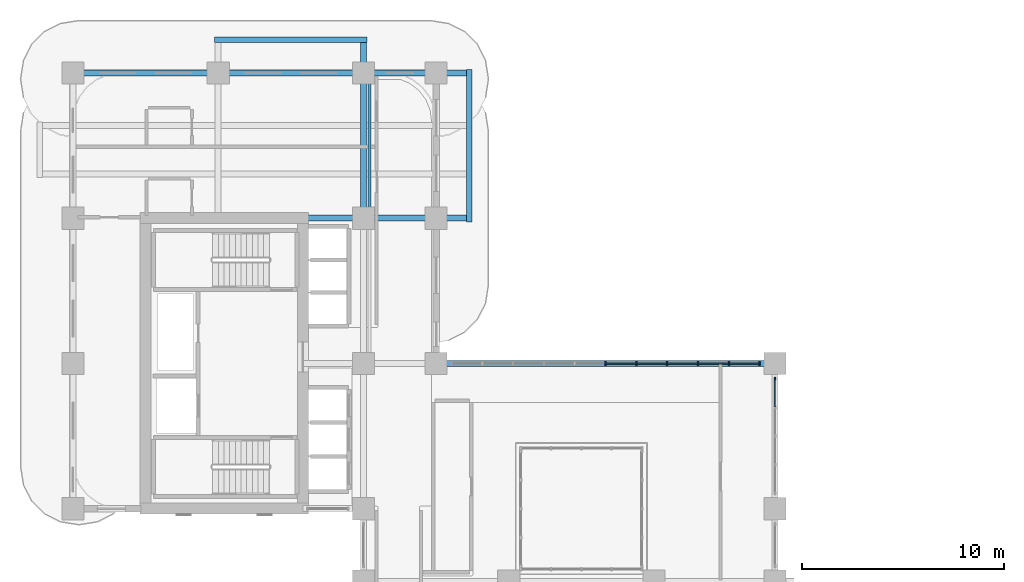
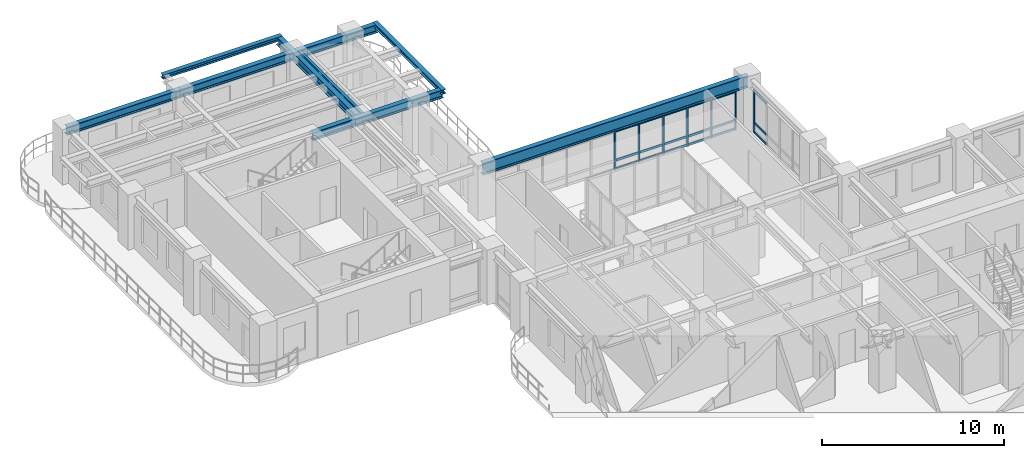
# One storey, part 7 of 22: 25 members, 8 beams, 2 elements without a shape of their own.
"""IFC4 building model written with IfcOpenShell, lengths in metres."""

from ifc_helpers import new_model, si_unit, derived_unit, direction, frame, origin, origin_2d, place, context, subcontext, project, spatial, rectangle, i_section, extrude, source, transform, mapped, material, layer, layer_set, material_profile, profile_set, type_object, type_shapes, element, aggregate, save


model = new_model("IFC4")

# Units and contexts
model_context = context("Model", 3, precision=1e-05, world=origin(), true_north=direction((0.0, 1.0)))
body_context = subcontext(model_context, "Body", "Model", "MODEL_VIEW")
ifc_project = project(units=[si_unit("LENGTHUNIT", "METRE"), si_unit("AREAUNIT", "SQUARE_METRE"), si_unit("VOLUMEUNIT", "CUBIC_METRE"), si_unit("PLANEANGLEUNIT", "RADIAN"), si_unit("MASSUNIT", "GRAM", prefix="KILO"), si_unit("THERMODYNAMICTEMPERATUREUNIT", "KELVIN"), si_unit("POWERUNIT", "WATT"), derived_unit("THERMALTRANSMITTANCEUNIT", [(si_unit("POWERUNIT", "WATT"), 1), (si_unit("AREAUNIT", "SQUARE_METRE"), -1), (si_unit("THERMODYNAMICTEMPERATUREUNIT", "KELVIN"), -1)])], contexts=[model_context])

# Site, building, storey
site_placement = place(None, origin())
site = spatial("IfcSite", under=ifc_project, at=site_placement, CompositionType="ELEMENT")
building_placement = place(site_placement, origin())
building = spatial("IfcBuilding", under=site, at=building_placement, Name="Zahravan Archway Hotel and Residences", CompositionType="ELEMENT")
storey_placement = place(building_placement, frame((0.0, 0.0, 91.60009765625)))
storey = spatial("IfcBuildingStorey", under=building, at=storey_placement, Name="L22", CompositionType="ELEMENT", Elevation=91.60009765625)

# Beams
ifc_material_1 = material(Name="Structural Steel S355JR", Category="steel")
ifc_material_profile_1 = material_profile(ifc_material_1, i_section(OverallWidth=0.280029296875, OverallDepth=0.280029296875, WebThickness=0.010498046875, FlangeThickness=0.01806640625, FilletRadius=0.02392578125, at=origin_2d()), Name="HEB 280", Category="steel")
ifc_profile_set_1 = profile_set([ifc_material_profile_1], Name="Structural Steel S355JR")
beam_type_1 = type_object("IfcBeamType", Name="BM-SPN-HEB280", PredefinedType="SPANDREL", material=ifc_profile_set_1)
shared_shape_1 = source(origin(), body_context, "Body", "SweptSolid", [
    extrude(i_section(OverallWidth=0.280029296875, OverallDepth=0.280029296875, WebThickness=0.010498046875, FlangeThickness=0.01806640625, FilletRadius=0.02392578125, at=origin_2d()), origin(), (0.0, 0.0, 1.0), 7.56005859375),
])
type_shapes(beam_type_1, [shared_shape_1])
for number, where, z_axis, x_axis, name in (
    (1, (19.64990234375, 39.419921875, 3.309814453125), (0.0, 1.0, 0.0), (-1.0, 0.0, 0.0), "L23 EB Balcony Edge Spandrel"),
    (2, (7.02001953125, 48.449951171875, 3.309814453125), (1.0, 0.0, 0.0), (0.0, 1.0, 0.0), "L23 NB Balcony Edge Spandrel"),
):
    element("IfcBeam", number, at=place(storey_placement, frame(where, z_axis=z_axis, x_axis=x_axis)), inside=storey, type_object=beam_type_1, Name=name, PredefinedType="SPANDREL", context=body_context, shape_type="MappedRepresentation", body=[
        mapped(shared_shape_1, transform((0.0, 0.0, 0.0), scale=1.0)),
    ])
ifc_material_profile_2 = material_profile(ifc_material_1, i_section(OverallWidth=0.300048828125, OverallDepth=0.550048828125, WebThickness=0.014892578125, FlangeThickness=0.029052734375, FilletRadius=0.027099609375, at=origin_2d()), Name="HEB 550", Category="steel")
ifc_profile_set_2 = profile_set([ifc_material_profile_2], Name="Structural Steel S355JR")
beam_type_2 = type_object("IfcBeamType", Name="BM-PRI-HEB550", PredefinedType="BEAM", material=ifc_profile_set_2)
shared_shape_2 = source(origin(), body_context, "Body", "SweptSolid", [
    extrude(i_section(OverallWidth=0.300048828125, OverallDepth=0.550048828125, WebThickness=0.014892578125, FlangeThickness=0.029052734375, FilletRadius=0.027099609375, at=origin_2d()), origin(), (0.0, 0.0, 1.0), 7.199951171875),
])
beam_1_placement = place(storey_placement, frame((0.0, 46.800048828125, 3.1748046875), z_axis=(1.0, 0.0, 0.0), x_axis=(0.0, 1.0, 0.0)))
element("IfcBeam", 3, at=beam_1_placement, inside=storey, type_object=beam_type_2, Name="L22 Primary Girder EW-24", PredefinedType="BEAM", context=body_context, shape_type="MappedRepresentation", body=[
    mapped(shared_shape_2, transform((0.0, 0.0, 0.0), scale=1.0)),
])
shared_shape_3 = source(origin(), body_context, "Body", "SweptSolid", [
    extrude(i_section(OverallWidth=0.300048828125, OverallDepth=0.550048828125, WebThickness=0.014892578125, FlangeThickness=0.029052734375, FilletRadius=0.027099609375, at=origin_2d()), origin(), (0.0, 0.0, 1.0), 8.25),
])
beam_2_placement = place(storey_placement, frame((11.39990234375, 39.60009765625, 3.1748046875), z_axis=(1.0, 0.0, 0.0), x_axis=(0.0, 1.0, 0.0)))
element("IfcBeam", 4, at=beam_2_placement, inside=storey, type_object=beam_type_2, Name="L22 Primary Girder EW-23", PredefinedType="BEAM", context=body_context, shape_type="MappedRepresentation", body=[
    mapped(shared_shape_3, transform((0.0, 0.0, 0.0), scale=1.0)),
])
shared_shape_4 = source(origin(), body_context, "Body", "SweptSolid", [
    extrude(i_section(OverallWidth=0.300048828125, OverallDepth=0.550048828125, WebThickness=0.014892578125, FlangeThickness=0.029052734375, FilletRadius=0.027099609375, at=origin_2d()), origin(), (0.0, 0.0, 1.0), 12.449951171875),
])
beam_3_placement = place(storey_placement, frame((7.199951171875, 46.800048828125, 3.1748046875), z_axis=(1.0, 0.0, 0.0), x_axis=(0.0, 1.0, 0.0)))
element("IfcBeam", 5, at=beam_3_placement, inside=storey, type_object=beam_type_2, Name="L22 Primary Girder EW-25", PredefinedType="BEAM", context=body_context, shape_type="MappedRepresentation", body=[
    mapped(shared_shape_4, transform((0.0, 0.0, 0.0), scale=1.0)),
])
shared_shape_5 = source(origin(), body_context, "Body", "SweptSolid", [
    extrude(i_section(OverallWidth=0.300048828125, OverallDepth=0.550048828125, WebThickness=0.014892578125, FlangeThickness=0.029052734375, FilletRadius=0.027099609375, at=origin_2d()), origin(), (0.0, 0.0, 1.0), 8.849853515625),
])
beam_4_placement = place(storey_placement, frame((14.39990234375, 39.60009765625, 3.1748046875), z_axis=(0.0, 1.0, 0.0), x_axis=(-1.0, 0.0, 0.0)))
element("IfcBeam", 6, at=beam_4_placement, inside=storey, type_object=beam_type_2, Name="L22 Primary Girder NS-38", PredefinedType="BEAM", context=body_context, shape_type="MappedRepresentation", body=[
    mapped(shared_shape_5, transform((0.0, 0.0, 0.0), scale=1.0)),
])
ifc_material_2 = material(Name="Structural Steel S355J2", Category="steel")
ifc_material_profile_3 = material_profile(ifc_material_2, i_section(OverallWidth=0.300048828125, OverallDepth=0.800048828125, WebThickness=0.017578125, FlangeThickness=0.032958984375, FilletRadius=0.030029296875, at=origin_2d()), Name="HEB 800", Category="steel")
ifc_profile_set_3 = profile_set([ifc_material_profile_3], Name="Structural Steel S355J2")
beam_type_3 = type_object("IfcBeamType", Name="BM-PRI-HEB800", PredefinedType="BEAM", material=ifc_profile_set_3)
shared_shape_6 = source(origin(), body_context, "Body", "SweptSolid", [
    extrude(i_section(OverallWidth=0.300048828125, OverallDepth=0.800048828125, WebThickness=0.017578125, FlangeThickness=0.032958984375, FilletRadius=0.030029296875, at=origin_2d()), origin(), (0.0, 0.0, 1.0), 16.800048828125),
])
type_shapes(beam_type_3, [shared_shape_6])
beam_5_placement = place(storey_placement, frame((18.0, 32.39990234375, 3.0498046875), z_axis=(1.0, 0.0, 0.0), x_axis=(0.0, 1.0, 0.0)))
element("IfcBeam", 7, at=beam_5_placement, inside=storey, type_object=beam_type_3, Name="L22 Primary Girder EW-22", PredefinedType="BEAM", context=body_context, shape_type="MappedRepresentation", body=[
    mapped(shared_shape_6, transform((0.0, 0.0, 0.0), scale=1.0)),
])
ifc_material_profile_4 = material_profile(ifc_material_1, i_section(OverallWidth=0.169921875, OverallDepth=0.360107421875, WebThickness=0.008056640625, FlangeThickness=0.0126953125, FilletRadius=0.01806640625, at=origin_2d()), Name="IPE 360", Category="steel")
ifc_profile_set_4 = profile_set([ifc_material_profile_4], Name="Structural Steel S355JR")
beam_type_4 = type_object("IfcBeamType", Name="BM-JST-IPE360", PredefinedType="JOIST", material=ifc_profile_set_4)
shared_shape_7 = source(origin(), body_context, "Body", "SweptSolid", [
    extrude(i_section(OverallWidth=0.169921875, OverallDepth=0.360107421875, WebThickness=0.008056640625, FlangeThickness=0.0126953125, FilletRadius=0.01806640625, at=origin_2d()), origin(), (0.0, 0.0, 1.0), 6.904052734375),
])
type_shapes(beam_type_4, [shared_shape_7])
beam_6_placement = place(storey_placement, frame((14.699951171875, 39.748046875, 3.27001953125), z_axis=(0.0, 1.0, 0.0), x_axis=(-1.0, 0.0, 0.0)))
element("IfcBeam", 8, at=beam_6_placement, inside=storey, type_object=beam_type_4, Name="L22 Composite Floor Joist 14", PredefinedType="JOIST", context=body_context, shape_type="MappedRepresentation", body=[
    mapped(shared_shape_7, transform((0.0, 0.0, 0.0), scale=1.0)),
])

# Curtain wall, members
ifc_material_3 = material(Name="Bronze-Anodized Unitised Aluminium & Low-E Glass", Category="aluminium")
ifc_layer = layer(ifc_material_3, 0.179931640625, Name="Bronze-Anodized Unitised Aluminium & Low-E Glass", Category="aluminium")
ifc_layer_set = layer_set([ifc_layer], Name="Bronze-Anodized Unitised Aluminium & Low-E Glass")
curtain_wall_type = type_object("IfcCurtainWallType", Name="CW-ATR-GLAZ", PredefinedType="NOTDEFINED", material=ifc_layer_set)
curtain_wall_1_placement = place(storey_placement, origin())
curtain_wall_1 = element("IfcCurtainWall", 9, at=curtain_wall_1_placement, inside=storey, type_object=curtain_wall_type, Name="L22 Curtain Wall CW-L22-HNG-E-2", PredefinedType="NOTDEFINED")
ifc_material_4 = material(Name="Bronze-Anodized Extruded Aluminium", Category="aluminium")
ifc_material_profile_5 = material_profile(ifc_material_4, rectangle(XDim=0.080078125, YDim=0.139892578125, at=origin_2d()), Name="TRN 80x140", Category="aluminium")
ifc_profile_set_5 = profile_set([ifc_material_profile_5], Name="Bronze-Anodized Extruded Aluminium")
member_type_1 = type_object("IfcMemberType", Name="CWM-TRN-140", PredefinedType="USERDEFINED", material=ifc_profile_set_5)
shared_shape_8 = source(origin(), body_context, "Body", "SweptSolid", [
    extrude(rectangle(XDim=0.080078125, YDim=0.139892578125, at=origin_2d()), origin(), (0.0, 0.0, 1.0), 1.340087890625),
])
member_1_placement = place(storey_placement, frame((34.800048828125, 30.260009765625, 0.06982421875), z_axis=(0.0, 1.0, 0.0), x_axis=(-1.0, 0.0, 0.0)))
member_1 = element("IfcMember", 10, at=member_1_placement, type_object=member_type_1, Name="CW-L22-HNG-E-2 Transom 3-1", ObjectType="TRANSOM", PredefinedType="USERDEFINED", context=body_context, shape_type="MappedRepresentation", body=[
    mapped(shared_shape_8, transform((0.0, 0.0, 0.0), scale=1.0)),
])
member_2_placement = place(storey_placement, frame((34.800048828125, 30.260009765625, 0.6923828125), z_axis=(0.0, 1.0, 0.0), x_axis=(-1.0, 0.0, 0.0)))
member_2 = element("IfcMember", 11, at=member_2_placement, type_object=member_type_1, Name="CW-L22-HNG-E-2 Transom 3-2", ObjectType="TRANSOM", PredefinedType="USERDEFINED", context=body_context, shape_type="MappedRepresentation", body=[
    mapped(shared_shape_8, transform((0.0, 0.0, 0.0), scale=1.0)),
])
member_3_placement = place(storey_placement, frame((34.800048828125, 30.260009765625, 2.81494140625), z_axis=(0.0, 1.0, 0.0), x_axis=(-1.0, 0.0, 0.0)))
member_3 = element("IfcMember", 12, at=member_3_placement, type_object=member_type_1, Name="CW-L22-HNG-E-2 Transom 3-3", ObjectType="TRANSOM", PredefinedType="USERDEFINED", context=body_context, shape_type="MappedRepresentation", body=[
    mapped(shared_shape_8, transform((0.0, 0.0, 0.0), scale=1.0)),
])
ifc_material_profile_6 = material_profile(ifc_material_4, rectangle(XDim=0.080078125, YDim=0.159912109375, at=origin_2d()), Name="MUL 80x160", Category="aluminium")
ifc_profile_set_6 = profile_set([ifc_material_profile_6], Name="Bronze-Anodized Extruded Aluminium")
member_type_2 = type_object("IfcMemberType", Name="CWM-MUL-160", PredefinedType="MULLION", material=ifc_profile_set_6)
shared_shape_9 = source(origin(), body_context, "Body", "SweptSolid", [
    extrude(rectangle(XDim=0.080078125, YDim=0.159912109375, at=origin_2d()), origin(), (0.0, 0.0, 1.0), 2.885009765625),
])
member_4_placement = place(storey_placement, frame((34.800048828125, 31.639892578125, 0.0), z_axis=(0.0, 0.0, 1.0), x_axis=(1.0, 0.0, 0.0)))
member_4 = element("IfcMember", 13, at=member_4_placement, type_object=member_type_2, Name="CW-L22-HNG-E-2 Mullion 4", PredefinedType="MULLION", context=body_context, shape_type="MappedRepresentation", body=[
    mapped(shared_shape_9, transform((0.0, 0.0, 0.0), scale=1.0)),
])
aggregate(curtain_wall_1, [member_4, member_1, member_2, member_3])

curtain_wall_2_placement = place(storey_placement, origin())
curtain_wall_2 = element("IfcCurtainWall", 14, at=curtain_wall_2_placement, inside=storey, type_object=curtain_wall_type, Name="L22 Curtain Wall CW-L22-HNG-N-1", PredefinedType="NOTDEFINED")
shared_shape_10 = source(origin(), body_context, "Body", "SweptSolid", [
    extrude(rectangle(XDim=0.080078125, YDim=0.159912109375, at=origin_2d()), origin(), (0.0, 0.0, 1.0), 2.635009765625),
])
member_5_placement = place(storey_placement, frame((26.39990234375, 32.39990234375, 0.0), z_axis=(0.0, 0.0, 1.0), x_axis=(1.0, 0.0, 0.0)))
member_5 = element("IfcMember", 15, at=member_5_placement, type_object=member_type_2, Name="CW-L22-HNG-N-1 Mullion 5", PredefinedType="MULLION", context=body_context, shape_type="MappedRepresentation", body=[
    mapped(shared_shape_10, transform((0.0, 0.0, 0.0), scale=1.0)),
])
member_6_placement = place(storey_placement, frame((27.927978515625, 32.39990234375, 0.0), z_axis=(0.0, 0.0, 1.0), x_axis=(1.0, 0.0, 0.0)))
member_6 = element("IfcMember", 16, at=member_6_placement, type_object=member_type_2, Name="CW-L22-HNG-N-1 Mullion 6", PredefinedType="MULLION", context=body_context, shape_type="MappedRepresentation", body=[
    mapped(shared_shape_10, transform((0.0, 0.0, 0.0), scale=1.0)),
])
member_7_placement = place(storey_placement, frame((29.4560546875, 32.39990234375, 0.0), z_axis=(0.0, 0.0, 1.0), x_axis=(1.0, 0.0, 0.0)))
member_7 = element("IfcMember", 17, at=member_7_placement, type_object=member_type_2, Name="CW-L22-HNG-N-1 Mullion 7", PredefinedType="MULLION", context=body_context, shape_type="MappedRepresentation", body=[
    mapped(shared_shape_10, transform((0.0, 0.0, 0.0), scale=1.0)),
])
member_8_placement = place(storey_placement, frame((30.98388671875, 32.39990234375, 0.0), z_axis=(0.0, 0.0, 1.0), x_axis=(1.0, 0.0, 0.0)))
member_8 = element("IfcMember", 18, at=member_8_placement, type_object=member_type_2, Name="CW-L22-HNG-N-1 Mullion 8", PredefinedType="MULLION", context=body_context, shape_type="MappedRepresentation", body=[
    mapped(shared_shape_10, transform((0.0, 0.0, 0.0), scale=1.0)),
])
member_9_placement = place(storey_placement, frame((32.511962890625, 32.39990234375, 0.0), z_axis=(0.0, 0.0, 1.0), x_axis=(1.0, 0.0, 0.0)))
member_9 = element("IfcMember", 19, at=member_9_placement, type_object=member_type_2, Name="CW-L22-HNG-N-1 Mullion 9", PredefinedType="MULLION", context=body_context, shape_type="MappedRepresentation", body=[
    mapped(shared_shape_10, transform((0.0, 0.0, 0.0), scale=1.0)),
])
member_10_placement = place(storey_placement, frame((34.0400390625, 32.39990234375, 0.0), z_axis=(0.0, 0.0, 1.0), x_axis=(1.0, 0.0, 0.0)))
member_10 = element("IfcMember", 20, at=member_10_placement, type_object=member_type_2, Name="CW-L22-HNG-N-1 Mullion 10", PredefinedType="MULLION", context=body_context, shape_type="MappedRepresentation", body=[
    mapped(shared_shape_10, transform((0.0, 0.0, 0.0), scale=1.0)),
])
shared_shape_11 = source(origin(), body_context, "Body", "SweptSolid", [
    extrude(rectangle(XDim=0.080078125, YDim=0.139892578125, at=origin_2d()), origin(), (0.0, 0.0, 1.0), 1.447998046875),
])
member_11_placement = place(storey_placement, frame((26.43994140625, 32.39990234375, 0.06982421875), z_axis=(1.0, 0.0, 0.0), x_axis=(0.0, 1.0, 0.0)))
member_11 = element("IfcMember", 21, at=member_11_placement, type_object=member_type_1, Name="CW-L22-HNG-N-1 Transom 5-1", ObjectType="TRANSOM", PredefinedType="USERDEFINED", context=body_context, shape_type="MappedRepresentation", body=[
    mapped(shared_shape_11, transform((0.0, 0.0, 0.0), scale=1.0)),
])
member_12_placement = place(storey_placement, frame((26.43994140625, 32.39990234375, 0.63232421875), z_axis=(1.0, 0.0, 0.0), x_axis=(0.0, 1.0, 0.0)))
member_12 = element("IfcMember", 22, at=member_12_placement, type_object=member_type_1, Name="CW-L22-HNG-N-1 Transom 5-2", ObjectType="TRANSOM", PredefinedType="USERDEFINED", context=body_context, shape_type="MappedRepresentation", body=[
    mapped(shared_shape_11, transform((0.0, 0.0, 0.0), scale=1.0)),
])
member_13_placement = place(storey_placement, frame((26.43994140625, 32.39990234375, 2.56494140625), z_axis=(1.0, 0.0, 0.0), x_axis=(0.0, 1.0, 0.0)))
member_13 = element("IfcMember", 23, at=member_13_placement, type_object=member_type_1, Name="CW-L22-HNG-N-1 Transom 5-3", ObjectType="TRANSOM", PredefinedType="USERDEFINED", context=body_context, shape_type="MappedRepresentation", body=[
    mapped(shared_shape_11, transform((0.0, 0.0, 0.0), scale=1.0)),
])
member_14_placement = place(storey_placement, frame((27.968017578125, 32.39990234375, 0.06982421875), z_axis=(1.0, 0.0, 0.0), x_axis=(0.0, 1.0, 0.0)))
member_14 = element("IfcMember", 24, at=member_14_placement, type_object=member_type_1, Name="CW-L22-HNG-N-1 Transom 6-1", ObjectType="TRANSOM", PredefinedType="USERDEFINED", context=body_context, shape_type="MappedRepresentation", body=[
    mapped(shared_shape_11, transform((0.0, 0.0, 0.0), scale=1.0)),
])
member_15_placement = place(storey_placement, frame((27.968017578125, 32.39990234375, 0.63232421875), z_axis=(1.0, 0.0, 0.0), x_axis=(0.0, 1.0, 0.0)))
member_15 = element("IfcMember", 25, at=member_15_placement, type_object=member_type_1, Name="CW-L22-HNG-N-1 Transom 6-2", ObjectType="TRANSOM", PredefinedType="USERDEFINED", context=body_context, shape_type="MappedRepresentation", body=[
    mapped(shared_shape_11, transform((0.0, 0.0, 0.0), scale=1.0)),
])
member_16_placement = place(storey_placement, frame((27.968017578125, 32.39990234375, 2.56494140625), z_axis=(1.0, 0.0, 0.0), x_axis=(0.0, 1.0, 0.0)))
member_16 = element("IfcMember", 26, at=member_16_placement, type_object=member_type_1, Name="CW-L22-HNG-N-1 Transom 6-3", ObjectType="TRANSOM", PredefinedType="USERDEFINED", context=body_context, shape_type="MappedRepresentation", body=[
    mapped(shared_shape_11, transform((0.0, 0.0, 0.0), scale=1.0)),
])
member_17_placement = place(storey_placement, frame((29.49609375, 32.39990234375, 0.06982421875), z_axis=(1.0, 0.0, 0.0), x_axis=(0.0, 1.0, 0.0)))
member_17 = element("IfcMember", 27, at=member_17_placement, type_object=member_type_1, Name="CW-L22-HNG-N-1 Transom 7-1", ObjectType="TRANSOM", PredefinedType="USERDEFINED", context=body_context, shape_type="MappedRepresentation", body=[
    mapped(shared_shape_11, transform((0.0, 0.0, 0.0), scale=1.0)),
])
member_18_placement = place(storey_placement, frame((29.49609375, 32.39990234375, 0.63232421875), z_axis=(1.0, 0.0, 0.0), x_axis=(0.0, 1.0, 0.0)))
member_18 = element("IfcMember", 28, at=member_18_placement, type_object=member_type_1, Name="CW-L22-HNG-N-1 Transom 7-2", ObjectType="TRANSOM", PredefinedType="USERDEFINED", context=body_context, shape_type="MappedRepresentation", body=[
    mapped(shared_shape_11, transform((0.0, 0.0, 0.0), scale=1.0)),
])
member_19_placement = place(storey_placement, frame((29.49609375, 32.39990234375, 2.56494140625), z_axis=(1.0, 0.0, 0.0), x_axis=(0.0, 1.0, 0.0)))
member_19 = element("IfcMember", 29, at=member_19_placement, type_object=member_type_1, Name="CW-L22-HNG-N-1 Transom 7-3", ObjectType="TRANSOM", PredefinedType="USERDEFINED", context=body_context, shape_type="MappedRepresentation", body=[
    mapped(shared_shape_11, transform((0.0, 0.0, 0.0), scale=1.0)),
])
member_20_placement = place(storey_placement, frame((31.02392578125, 32.39990234375, 0.06982421875), z_axis=(1.0, 0.0, 0.0), x_axis=(0.0, 1.0, 0.0)))
member_20 = element("IfcMember", 30, at=member_20_placement, type_object=member_type_1, Name="CW-L22-HNG-N-1 Transom 8-1", ObjectType="TRANSOM", PredefinedType="USERDEFINED", context=body_context, shape_type="MappedRepresentation", body=[
    mapped(shared_shape_11, transform((0.0, 0.0, 0.0), scale=1.0)),
])
member_21_placement = place(storey_placement, frame((31.02392578125, 32.39990234375, 0.63232421875), z_axis=(1.0, 0.0, 0.0), x_axis=(0.0, 1.0, 0.0)))
member_21 = element("IfcMember", 31, at=member_21_placement, type_object=member_type_1, Name="CW-L22-HNG-N-1 Transom 8-2", ObjectType="TRANSOM", PredefinedType="USERDEFINED", context=body_context, shape_type="MappedRepresentation", body=[
    mapped(shared_shape_11, transform((0.0, 0.0, 0.0), scale=1.0)),
])
member_22_placement = place(storey_placement, frame((31.02392578125, 32.39990234375, 2.56494140625), z_axis=(1.0, 0.0, 0.0), x_axis=(0.0, 1.0, 0.0)))
member_22 = element("IfcMember", 32, at=member_22_placement, type_object=member_type_1, Name="CW-L22-HNG-N-1 Transom 8-3", ObjectType="TRANSOM", PredefinedType="USERDEFINED", context=body_context, shape_type="MappedRepresentation", body=[
    mapped(shared_shape_11, transform((0.0, 0.0, 0.0), scale=1.0)),
])
member_23_placement = place(storey_placement, frame((32.552001953125, 32.39990234375, 0.06982421875), z_axis=(1.0, 0.0, 0.0), x_axis=(0.0, 1.0, 0.0)))
member_23 = element("IfcMember", 33, at=member_23_placement, type_object=member_type_1, Name="CW-L22-HNG-N-1 Transom 9-1", ObjectType="TRANSOM", PredefinedType="USERDEFINED", context=body_context, shape_type="MappedRepresentation", body=[
    mapped(shared_shape_11, transform((0.0, 0.0, 0.0), scale=1.0)),
])
member_24_placement = place(storey_placement, frame((32.552001953125, 32.39990234375, 0.63232421875), z_axis=(1.0, 0.0, 0.0), x_axis=(0.0, 1.0, 0.0)))
member_24 = element("IfcMember", 34, at=member_24_placement, type_object=member_type_1, Name="CW-L22-HNG-N-1 Transom 9-2", ObjectType="TRANSOM", PredefinedType="USERDEFINED", context=body_context, shape_type="MappedRepresentation", body=[
    mapped(shared_shape_11, transform((0.0, 0.0, 0.0), scale=1.0)),
])
member_25_placement = place(storey_placement, frame((32.552001953125, 32.39990234375, 2.56494140625), z_axis=(1.0, 0.0, 0.0), x_axis=(0.0, 1.0, 0.0)))
member_25 = element("IfcMember", 35, at=member_25_placement, type_object=member_type_1, Name="CW-L22-HNG-N-1 Transom 9-3", ObjectType="TRANSOM", PredefinedType="USERDEFINED", context=body_context, shape_type="MappedRepresentation", body=[
    mapped(shared_shape_11, transform((0.0, 0.0, 0.0), scale=1.0)),
])
aggregate(curtain_wall_2, [member_5, member_6, member_7, member_8, member_9, member_10, member_11, member_12, member_13, member_14, member_15, member_16, member_17, member_18, member_19, member_20, member_21, member_22, member_23, member_24, member_25])

save(model, "model.ifc")
